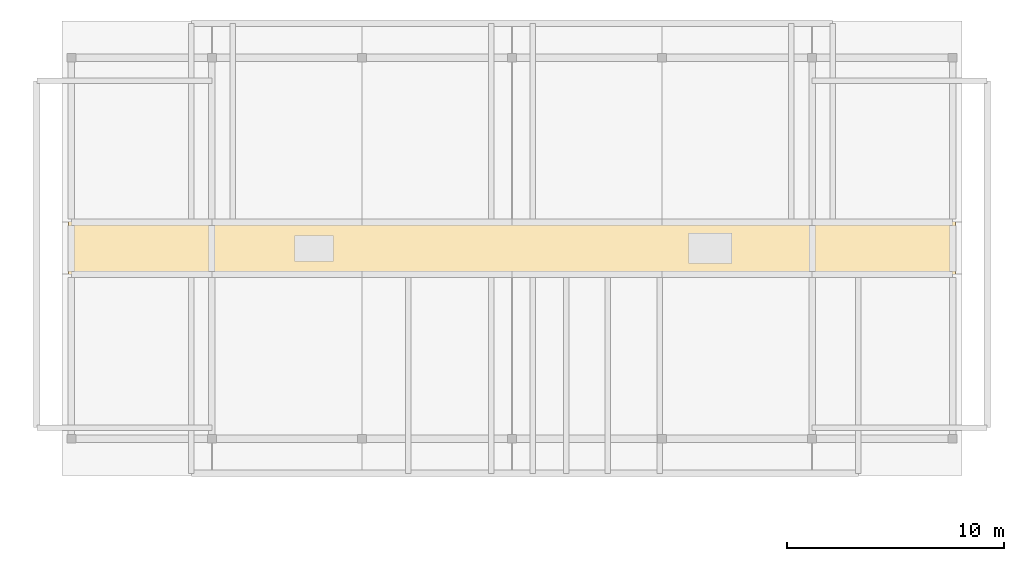
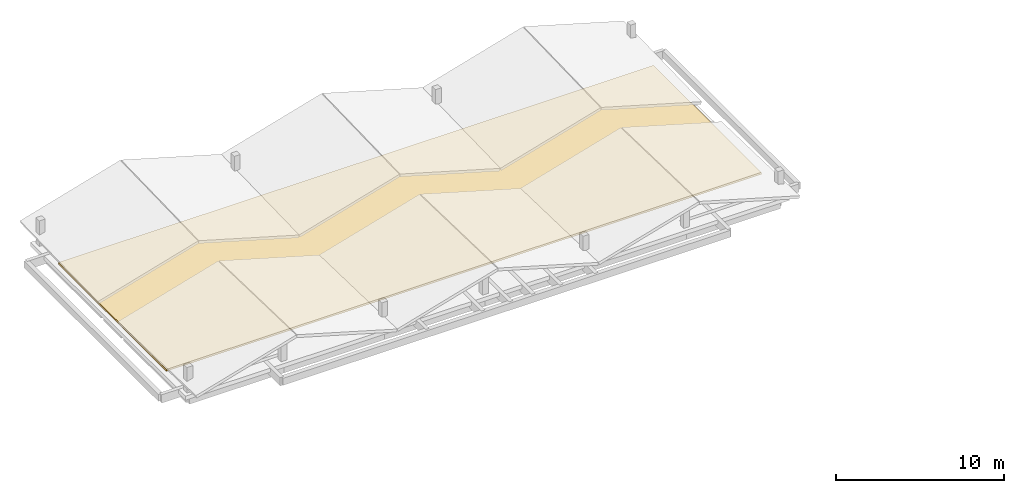
# One storey, part 10 of 10: 1 covering.
"""IFC4 building model written with IfcOpenShell, lengths in metres."""

from ifc_helpers import new_model, si_unit, direction, frame, origin, place, context, subcontext, project, spatial, polyline, outline, extrude, material, layer, layer_set, type_object, element, save


model = new_model("IFC4")

# Units and contexts
model_context = context("Model", 3, precision=1e-05, world=origin(), true_north=direction((0.0, 1.0)))
body_context = subcontext(model_context, "Body", "Model", "MODEL_VIEW")
ifc_project = project(units=[si_unit("LENGTHUNIT", "METRE"), si_unit("AREAUNIT", "SQUARE_METRE"), si_unit("VOLUMEUNIT", "CUBIC_METRE"), si_unit("PLANEANGLEUNIT", "RADIAN"), si_unit("MASSUNIT", "GRAM", prefix="KILO")], contexts=[model_context])

# Site, building, storey
site_placement = place(None, origin())
site = spatial("IfcSite", under=ifc_project, at=site_placement, CompositionType="ELEMENT")
building_placement = place(site_placement, origin())
building = spatial("IfcBuilding", under=site, at=building_placement, Name="Zavelmont Quarter", CompositionType="ELEMENT")
storey_placement = place(building_placement, frame((0.0, 0.0, 43.199951171875)))
storey = spatial("IfcBuildingStorey", under=building, at=storey_placement, Name="L13", CompositionType="ELEMENT", Elevation=43.199951171875)

# Covering
ifc_material = material(Name="EPDM waterproofing membrane and mineral insulation")
ifc_layer = layer(ifc_material, 0.139892578125)
ifc_layer_set = layer_set([ifc_layer], Name="EPDM waterproofing membrane and mineral insulation")
covering_type = type_object("IfcCoveringType", Name="CV-RF01", PredefinedType="ROOFING", material=ifc_layer_set)
covering_placement = place(storey_placement, origin())
element("IfcCovering", 1, at=covering_placement, inside=storey, type_object=covering_type, Name="L13 roof build-up CV-RF01", PredefinedType="ROOFING", context=body_context, shape_type="SweptSolid", body=[
    extrude(outline(polyline([(0.300048828125, 100.39990234375), (41.10009765625, 100.39990234375), (41.10009765625, 113.199951171875), (0.300048828125, 113.199951171875), (0.300048828125, 100.39990234375)])), origin(), (0.0, 0.0, 1.0), 0.14013671875),
])

save(model, "model.ifc")
